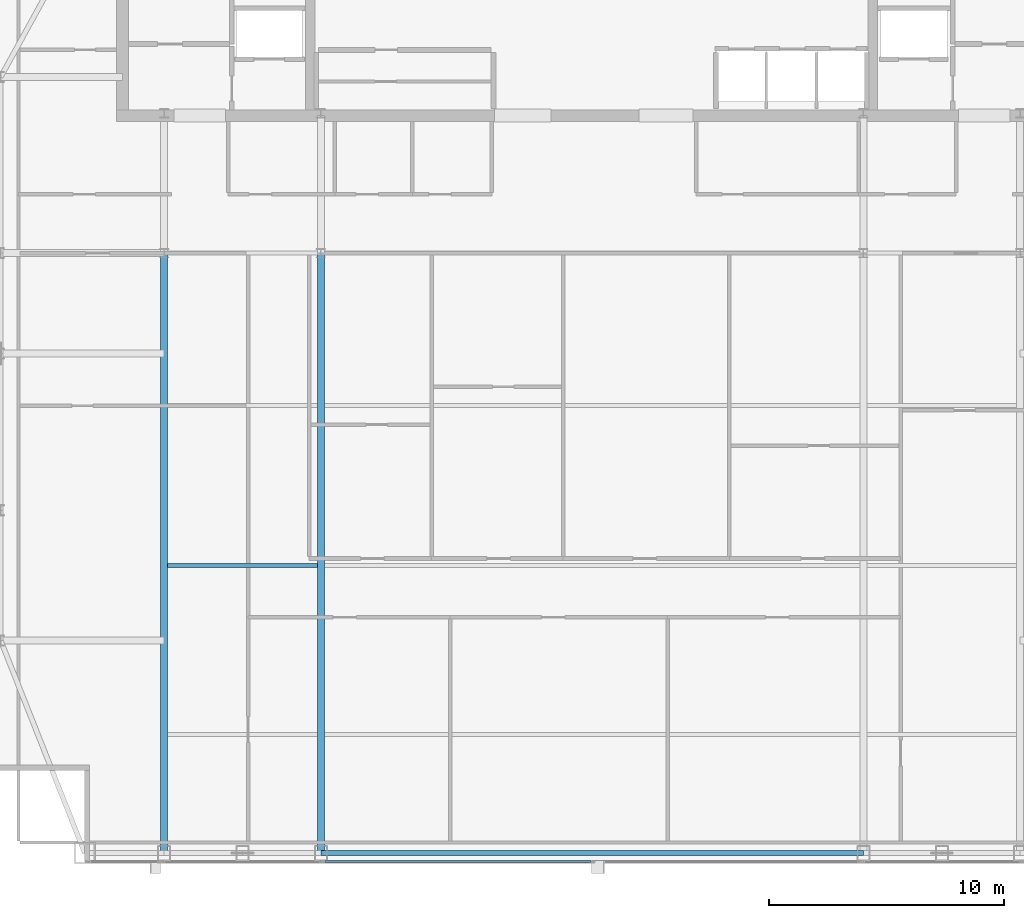
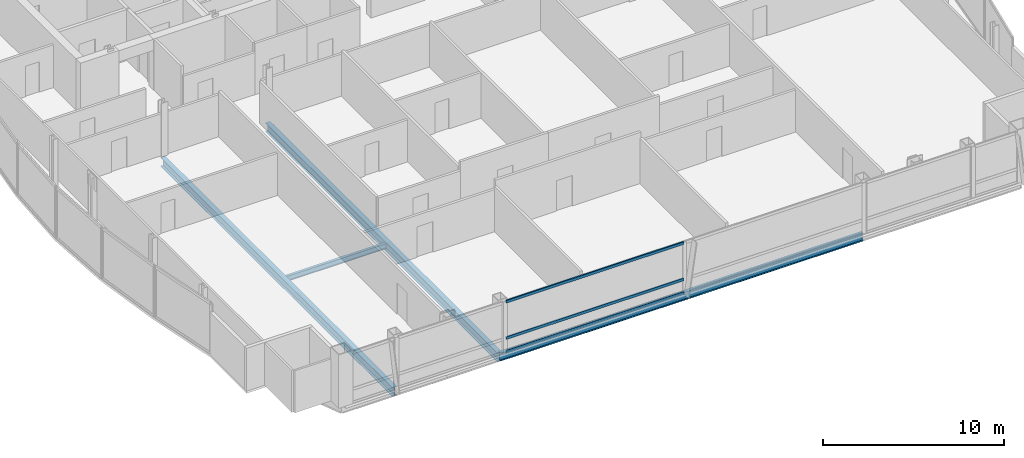
# One storey, part 6 of 27: 4 beams, 3 members, 1 element without a shape of its own.
"""IFC4 building model written with IfcOpenShell, lengths in metres."""

from ifc_helpers import new_model, si_unit, direction, frame, origin, origin_2d, place, context, subcontext, project, spatial, hollow_rectangle, i_section, extrude, material, material_profile, profile_set, type_object, element, aggregate, save


model = new_model("IFC4")

# Units and contexts
model_context = context("Model", 3, precision=1e-05, world=origin(), true_north=direction((0.0, 1.0)))
body_context = subcontext(model_context, "Body", "Model", "MODEL_VIEW")
ifc_project = project(units=[si_unit("LENGTHUNIT", "METRE"), si_unit("AREAUNIT", "SQUARE_METRE"), si_unit("VOLUMEUNIT", "CUBIC_METRE"), si_unit("PLANEANGLEUNIT", "RADIAN"), si_unit("MASSUNIT", "GRAM", prefix="KILO")], contexts=[model_context])

# Site, building, storey
site_placement = place(None, origin())
site = spatial("IfcSite", under=ifc_project, at=site_placement, CompositionType="ELEMENT")
building_placement = place(site_placement, origin())
building = spatial("IfcBuilding", under=site, at=building_placement, Name="Khoronbel Lancet Exchange", CompositionType="ELEMENT")
storey_placement = place(building_placement, frame((0.0, 0.0, 332.60009765625)))
storey = spatial("IfcBuildingStorey", under=building, at=storey_placement, Name="L86", CompositionType="ELEMENT", Elevation=332.60009765625)

# Beams
ifc_material_1 = material(Name="Steel S355", Category="steel")
ifc_material_profile_1 = material_profile(ifc_material_1, i_section(OverallWidth=0.300048828125, OverallDepth=0.60009765625, WebThickness=0.015380859375, FlangeThickness=0.030029296875, at=origin_2d()), Name="HEB 600")
ifc_profile_set_1 = profile_set([ifc_material_profile_1], Name="Steel S355")
beam_type_1 = type_object("IfcBeamType", Name="BM-BG5", PredefinedType="BEAM", material=ifc_profile_set_1)
for number, where, z_axis, x_axis, name in (
    (1, (18.22509765625, 10.14990234375, -0.460205078125), (0.0, 1.0, 0.0), (-1.0, 0.0, 0.0), "Level L86 south primary girder GS1"),
    (2, (24.89990234375, 10.14990234375, -0.460205078125), (0.0, 1.0, 0.0), (-1.0, 0.0, 0.0), "Level L86 south primary girder GS2"),
):
    element("IfcBeam", number, at=place(storey_placement, frame(where, z_axis=z_axis, x_axis=x_axis)), inside=storey, type_object=beam_type_1, Name=name, PredefinedType="BEAM", context=body_context, shape_type="SweptSolid", body=[
        extrude(i_section(OverallWidth=0.300048828125, OverallDepth=0.60009765625, WebThickness=0.015380859375, FlangeThickness=0.030029296875, at=origin_2d()), origin(), (0.0, 0.0, 1.0), 25.550048828125),
    ])
ifc_material_profile_2 = material_profile(ifc_material_1, i_section(OverallWidth=0.169921875, OverallDepth=0.360107421875, WebThickness=0.008056640625, FlangeThickness=0.0126953125, at=origin_2d()), Name="IPE 360")
ifc_profile_set_2 = profile_set([ifc_material_profile_2], Name="Steel S355")
beam_type_2 = type_object("IfcBeamType", Name="BM-BJ6", PredefinedType="JOIST", material=ifc_profile_set_2)
beam_1_placement = place(storey_placement, frame((18.375, 22.39990234375, -0.340087890625), z_axis=(1.0, 0.0, 0.0), x_axis=(0.0, 1.0, 0.0)))
element("IfcBeam", 3, at=beam_1_placement, inside=storey, type_object=beam_type_2, Name="Level L86 secondary composite joist J04", PredefinedType="JOIST", context=body_context, shape_type="SweptSolid", body=[
    extrude(i_section(OverallWidth=0.169921875, OverallDepth=0.360107421875, WebThickness=0.008056640625, FlangeThickness=0.0126953125, at=origin_2d()), origin(), (0.0, 0.0, 1.0), 6.375),
])
ifc_material_profile_3 = material_profile(ifc_material_1, i_section(OverallWidth=0.2099609375, OverallDepth=0.550048828125, WebThickness=0.010986328125, FlangeThickness=0.01708984375, at=origin_2d()), Name="IPE 550")
ifc_profile_set_3 = profile_set([ifc_material_profile_3], Name="Steel S355")
beam_type_3 = type_object("IfcBeamType", Name="BM-BSP3", PredefinedType="SPANDREL", material=ifc_profile_set_3)
beam_2_placement = place(storey_placement, frame((24.89990234375, 10.14990234375, -0.43505859375), z_axis=(1.0, 0.0, 0.0), x_axis=(0.0, 1.0, 0.0)))
element("IfcBeam", 4, at=beam_2_placement, inside=storey, type_object=beam_type_3, Name="Level L86 perimeter spandrel beam SP04", PredefinedType="SPANDREL", context=body_context, shape_type="SweptSolid", body=[
    extrude(i_section(OverallWidth=0.2099609375, OverallDepth=0.550048828125, WebThickness=0.010986328125, FlangeThickness=0.01708984375, at=origin_2d()), origin(), (0.0, 0.0, 1.0), 23.10009765625),
])

# Curtain wall, members
ifc_material_2 = material(Name="Low-E Solar Control Insulating Glass", Category="glass")
curtain_wall_type = type_object("IfcCurtainWallType", Name="CW-3", PredefinedType="NOTDEFINED", material=ifc_material_2)
curtain_wall_placement = place(storey_placement, origin())
curtain_wall = element("IfcCurtainWall", 5, at=curtain_wall_placement, inside=storey, type_object=curtain_wall_type, Name="Unitised curtain wall CW-L86-SCV", PredefinedType="NOTDEFINED")
ifc_material_3 = material(Name="Bronze-Anodised Aluminium 6063-T6", Category="aluminium")
ifc_material_profile_4 = material_profile(ifc_material_3, hollow_rectangle(XDim=0.0849609375, YDim=0.179931640625, WallThickness=0.0048828125, at=origin_2d()), Name="ALU TRANSOM 85x180")
ifc_profile_set_4 = profile_set([ifc_material_profile_4], Name="Bronze-Anodised Aluminium 6063-T6")
member_type = type_object("IfcMemberType", Name="MEM-CWT1", PredefinedType="USERDEFINED", material=ifc_profile_set_4)
member_1_placement = place(storey_placement, frame((25.0849609375, 9.7900390625, 0.04248046875), z_axis=(1.0, 0.0, 0.0), x_axis=(0.0, 1.0, 0.0)))
member_1 = element("IfcMember", 6, at=member_1_placement, type_object=member_type, Name="CW3 transom 1.1", ObjectType="TRANSOM", PredefinedType="USERDEFINED", context=body_context, shape_type="SweptSolid", body=[
    extrude(hollow_rectangle(XDim=0.0849609375, YDim=0.179931640625, WallThickness=0.0048828125, at=origin_2d()), origin(), (0.0, 0.0, 1.0), 11.322509765625),
])
member_2_placement = place(storey_placement, frame((25.0849609375, 9.7900390625, 0.949951171875), z_axis=(1.0, 0.0, 0.0), x_axis=(0.0, 1.0, 0.0)))
member_2 = element("IfcMember", 7, at=member_2_placement, type_object=member_type, Name="CW3 transom 1.2", ObjectType="TRANSOM", PredefinedType="USERDEFINED", context=body_context, shape_type="SweptSolid", body=[
    extrude(hollow_rectangle(XDim=0.0849609375, YDim=0.179931640625, WallThickness=0.0048828125, at=origin_2d()), origin(), (0.0, 0.0, 1.0), 11.322509765625),
])
member_3_placement = place(storey_placement, frame((25.0849609375, 9.7900390625, 3.3974609375), z_axis=(1.0, 0.0, 0.0), x_axis=(0.0, 1.0, 0.0)))
member_3 = element("IfcMember", 8, at=member_3_placement, type_object=member_type, Name="CW3 transom 1.3", ObjectType="TRANSOM", PredefinedType="USERDEFINED", context=body_context, shape_type="SweptSolid", body=[
    extrude(hollow_rectangle(XDim=0.0849609375, YDim=0.179931640625, WallThickness=0.0048828125, at=origin_2d()), origin(), (0.0, 0.0, 1.0), 11.322509765625),
])
aggregate(curtain_wall, [member_1, member_2, member_3])

save(model, "model.ifc")
